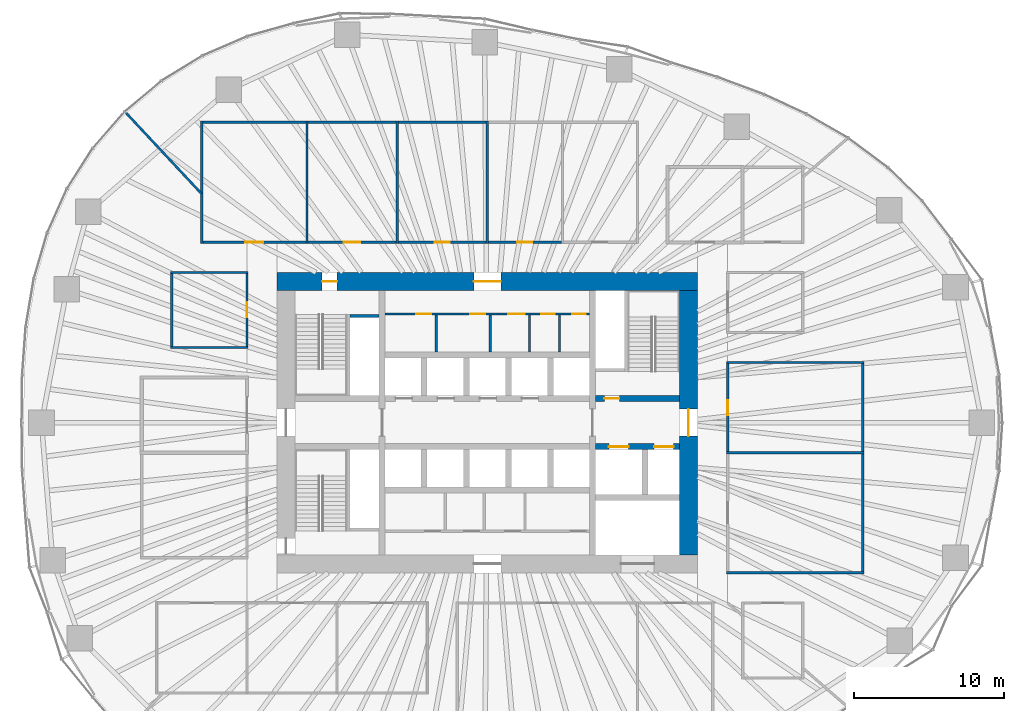
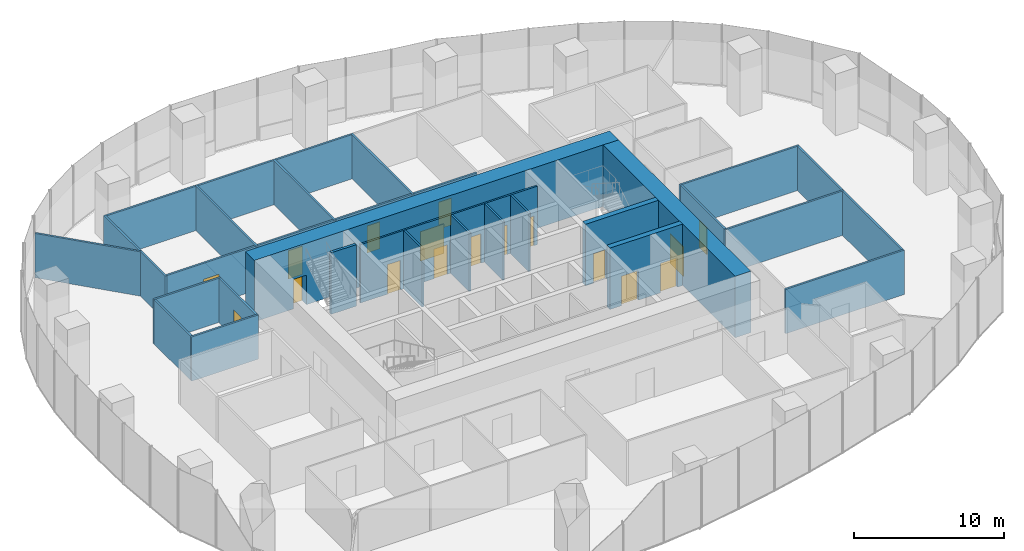
# One storey, part 11 of 20: 32 walls, 17 doors, 17 openings.
"""IFC4 building model written with IfcOpenShell, lengths in metres."""

from ifc_helpers import new_model, si_unit, direction, frame, frame_2d, origin, place, context, subcontext, project, spatial, rectangle, extrude, material, layer, layer_set, type_object, element, fill, save


model = new_model("IFC4")

# Units and contexts
model_context = context("Model", 3, precision=1e-05, world=origin(), true_north=direction((0.0, 1.0)))
body_context = subcontext(model_context, "Body", "Model", "MODEL_VIEW")
ifc_project = project(units=[si_unit("LENGTHUNIT", "METRE"), si_unit("AREAUNIT", "SQUARE_METRE"), si_unit("VOLUMEUNIT", "CUBIC_METRE"), si_unit("PLANEANGLEUNIT", "RADIAN"), si_unit("MASSUNIT", "GRAM", prefix="KILO")], contexts=[model_context])

# Site, building, storey
site_placement = place(None, origin())
site = spatial("IfcSite", under=ifc_project, at=site_placement, CompositionType="ELEMENT")
building_placement = place(site_placement, origin())
building = spatial("IfcBuilding", under=site, at=building_placement, Name="Ghaith Harvest Tower", CompositionType="ELEMENT")
storey_placement = place(building_placement, frame((0.0, 0.0, 90.0)))
storey = spatial("IfcBuildingStorey", under=building, at=storey_placement, Name="L18", CompositionType="ELEMENT", Elevation=90.0)

# Wall, openings, doors
ifc_material_1 = material(Name="Concrete blockwork, fair-faced", Category="masonry")
ifc_layer_1 = layer(ifc_material_1, 0.139892578125)
ifc_layer_set_1 = layer_set([ifc_layer_1], Name="CORE PARTITION 140")
wall_type_1 = type_object("IfcWallType", Name="CORE PARTITION 140", PredefinedType="PARTITIONING", material=ifc_layer_set_1)
wall_1_placement = place(storey_placement, frame((-6.800048828125, 7.22998046875, 0.0), z_axis=(0.0, 0.0, 1.0), x_axis=(1.0, 0.0, 0.0)))
wall_1 = element("IfcWall", 1, at=wall_1_placement, inside=storey, type_object=wall_type_1, Name="Core partition L18", PredefinedType="PARTITIONING", context=body_context, shape_type="SweptSolid", body=[
    extrude(rectangle(XDim=13.60009765625, YDim=0.139892578125, at=frame_2d((6.800048828125, 0.0))), origin(), (0.0, 0.0, 1.0), 4.75),
])
opening_1_placement = place(wall_1_placement, frame((2.080078125, 0.0, 0.0)))
opening_1 = element("IfcOpeningElement", 2, at=opening_1_placement, cuts=wall_1, Name="Opening 18-008", PredefinedType="OPENING", context=body_context, shape_type="SweptSolid", body=[
    extrude(rectangle(XDim=1.0, YDim=2.39990234375, at=frame_2d((0.5, 1.199951171875))), frame((0.0, 0.080078125, 0.0), z_axis=(0.0, -1.0, 0.0), x_axis=(1.0, 0.0, 0.0)), (0.0, 0.0, 1.0), 0.159912109375),
])
opening_2_placement = place(wall_1_placement, frame((5.679931640625, 0.0, 0.0)))
opening_2 = element("IfcOpeningElement", 3, at=opening_2_placement, cuts=wall_1, Name="Opening 18-009", PredefinedType="OPENING", context=body_context, shape_type="SweptSolid", body=[
    extrude(rectangle(XDim=1.0, YDim=2.39990234375, at=frame_2d((0.5, 1.199951171875))), frame((0.0, 0.080078125, 0.0), z_axis=(0.0, -1.0, 0.0), x_axis=(1.0, 0.0, 0.0)), (0.0, 0.0, 1.0), 0.159912109375),
])
opening_3_placement = place(wall_1_placement, frame((8.179931640625, 0.0, 0.0)))
opening_3 = element("IfcOpeningElement", 4, at=opening_3_placement, cuts=wall_1, Name="Opening 18-010", PredefinedType="OPENING", context=body_context, shape_type="SweptSolid", body=[
    extrude(rectangle(XDim=1.10009765625, YDim=2.39990234375, at=frame_2d((0.550048828125, 1.199951171875))), frame((0.0, 0.080078125, 0.0), z_axis=(0.0, -1.0, 0.0), x_axis=(1.0, 0.0, 0.0)), (0.0, 0.0, 1.0), 0.159912109375),
])
opening_4_placement = place(wall_1_placement, frame((10.3798828125, 0.0, 0.0)))
opening_4 = element("IfcOpeningElement", 5, at=opening_4_placement, cuts=wall_1, Name="Opening 18-011", PredefinedType="OPENING", context=body_context, shape_type="SweptSolid", body=[
    extrude(rectangle(XDim=0.89990234375, YDim=2.39990234375, at=frame_2d((0.449951171875, 1.199951171875))), frame((0.0, 0.080078125, 0.0), z_axis=(0.0, -1.0, 0.0), x_axis=(1.0, 0.0, 0.0)), (0.0, 0.0, 1.0), 0.159912109375),
])
opening_5_placement = place(wall_1_placement, frame((12.449951171875, 0.0, 0.0)))
opening_5 = element("IfcOpeningElement", 6, at=opening_5_placement, cuts=wall_1, Name="Opening 18-012", PredefinedType="OPENING", context=body_context, shape_type="SweptSolid", body=[
    extrude(rectangle(XDim=0.89990234375, YDim=2.39990234375, at=frame_2d((0.449951171875, 1.199951171875))), frame((0.0, 0.080078125, 0.0), z_axis=(0.0, -1.0, 0.0), x_axis=(1.0, 0.0, 0.0)), (0.0, 0.0, 1.0), 0.159912109375),
])
ifc_material_2 = material(Name="Steel fire door", Category="steel")
door_type_1 = type_object("IfcDoorType", Name="D3 FD90 1000x2400", OperationType="SINGLE_SWING_LEFT", PredefinedType="DOOR", material=ifc_material_2)
door_1_placement = place(opening_1_placement, origin())
door_1 = element("IfcDoor", 7, at=door_1_placement, inside=storey, type_object=door_type_1, Name="Male WC door", OperationType="SINGLE_SWING_LEFT", OverallHeight=2.39990234375, OverallWidth=1.0, PredefinedType="DOOR", context=body_context, shape_type="SweptSolid", body=[
    extrude(rectangle(XDim=1.0, YDim=2.39990234375, at=frame_2d((0.5, 1.199951171875))), frame((0.0, 0.02490234375, 0.0), z_axis=(0.0, -1.0, 0.0), x_axis=(1.0, 0.0, 0.0)), (0.0, 0.0, 1.0), 0.050048828125),
])
fill(opening_1, door_1)
door_2_placement = place(opening_2_placement, origin())
door_2 = element("IfcDoor", 8, at=door_2_placement, inside=storey, type_object=door_type_1, Name="Female WC door", OperationType="SINGLE_SWING_LEFT", OverallHeight=2.39990234375, OverallWidth=1.0, PredefinedType="DOOR", context=body_context, shape_type="SweptSolid", body=[
    extrude(rectangle(XDim=1.0, YDim=2.39990234375, at=frame_2d((0.5, 1.199951171875))), frame((0.0, 0.02490234375, 0.0), z_axis=(0.0, -1.0, 0.0), x_axis=(1.0, 0.0, 0.0)), (0.0, 0.0, 1.0), 0.050048828125),
])
fill(opening_2, door_2)
ifc_material_3 = material(Name="Steel fire door", Category="steel")
door_type_2 = type_object("IfcDoorType", Name="D5 FD90 900x2400", OperationType="SINGLE_SWING_LEFT", PredefinedType="DOOR", material=ifc_material_3)
door_3_placement = place(opening_4_placement, origin())
door_3 = element("IfcDoor", 9, at=door_3_placement, inside=storey, type_object=door_type_2, Name="Store door", OperationType="SINGLE_SWING_RIGHT", OverallHeight=2.39990234375, OverallWidth=0.89990234375, PredefinedType="DOOR", context=body_context, shape_type="SweptSolid", body=[
    extrude(rectangle(XDim=0.89990234375, YDim=2.39990234375, at=frame_2d((0.449951171875, 1.199951171875))), frame((0.0, 0.02490234375, 0.0), z_axis=(0.0, -1.0, 0.0), x_axis=(1.0, 0.0, 0.0)), (0.0, 0.0, 1.0), 0.050048828125),
])
fill(opening_4, door_3)
door_4_placement = place(opening_5_placement, origin())
door_4 = element("IfcDoor", 10, at=door_4_placement, inside=storey, type_object=door_type_2, Name="Cleaner's store door", OperationType="SINGLE_SWING_RIGHT", OverallHeight=2.39990234375, OverallWidth=0.89990234375, PredefinedType="DOOR", context=body_context, shape_type="SweptSolid", body=[
    extrude(rectangle(XDim=0.89990234375, YDim=2.39990234375, at=frame_2d((0.449951171875, 1.199951171875))), frame((0.0, 0.02490234375, 0.0), z_axis=(0.0, -1.0, 0.0), x_axis=(1.0, 0.0, 0.0)), (0.0, 0.0, 1.0), 0.050048828125),
])
fill(opening_5, door_4)
ifc_material_4 = material(Name="Steel fire door", Category="steel")
door_type_3 = type_object("IfcDoorType", Name="D9 FD90 1100x2400", OperationType="SINGLE_SWING_LEFT", PredefinedType="DOOR", material=ifc_material_4)
door_5_placement = place(opening_3_placement, origin())
door_5 = element("IfcDoor", 11, at=door_5_placement, inside=storey, type_object=door_type_3, Name="Accessible WC door", OperationType="SINGLE_SWING_RIGHT", OverallHeight=2.39990234375, OverallWidth=1.10009765625, PredefinedType="DOOR", context=body_context, shape_type="SweptSolid", body=[
    extrude(rectangle(XDim=1.10009765625, YDim=2.39990234375, at=frame_2d((0.550048828125, 1.199951171875))), frame((0.0, 0.02490234375, 0.0), z_axis=(0.0, -1.0, 0.0), x_axis=(1.0, 0.0, 0.0)), (0.0, 0.0, 1.0), 0.050048828125),
])
fill(opening_3, door_5)

# Walls
for number, where, z_axis, x_axis, name in (
    (12, (-3.39990234375, 4.699951171875, 0.0), (0.0, 0.0, 1.0), (0.0, 1.0, 0.0), "Core partition L18"),
    (13, (0.199951171875, 4.699951171875, 0.0), (0.0, 0.0, 1.0), (0.0, 1.0, 0.0), "Core partition L18"),
    (14, (2.800048828125, 4.699951171875, 0.0), (0.0, 0.0, 1.0), (0.0, 1.0, 0.0), "Core partition L18"),
    (15, (4.800048828125, 4.699951171875, 0.0), (0.0, 0.0, 1.0), (0.0, 1.0, 0.0), "Core partition L18"),
):
    element("IfcWall", number, at=place(storey_placement, frame(where, z_axis=z_axis, x_axis=x_axis)), inside=storey, type_object=wall_type_1, Name=name, PredefinedType="PARTITIONING", context=body_context, shape_type="SweptSolid", body=[
        extrude(rectangle(XDim=2.4599609375, YDim=0.139892578125, at=frame_2d((1.22998046875, 0.0))), origin(), (0.0, 0.0, 1.0), 4.75),
    ])

# Wall, openings, doors
ifc_material_5 = material(Name="Concrete C70/85", Category="concrete")
ifc_layer_2 = layer(ifc_material_5, 1.199951171875)
ifc_layer_set_2 = layer_set([ifc_layer_2], Name="CORE WALL CW1200")
wall_type_2 = type_object("IfcWallType", Name="CORE WALL CW1200", PredefinedType="SHEAR", material=ifc_layer_set_2)
wall_2_placement = place(storey_placement, frame((14.0, 9.39990234375, 0.0), z_axis=(0.0, 0.0, 1.0), x_axis=(-1.0, 0.0, 0.0)))
wall_2 = element("IfcWall", 16, at=wall_2_placement, inside=storey, type_object=wall_type_2, Name="Core wall N L18", PredefinedType="SHEAR", context=body_context, shape_type="SweptSolid", body=[
    extrude(rectangle(XDim=28.0, YDim=1.199951171875, at=frame_2d((14.0, 0.0))), origin(), (0.0, 0.0, 1.0), 5.0),
])
opening_6_placement = place(wall_2_placement, frame((24.0, 0.0, 0.0)))
opening_6 = element("IfcOpeningElement", 17, at=opening_6_placement, cuts=wall_2, Name="Opening 18-005", PredefinedType="OPENING", context=body_context, shape_type="SweptSolid", body=[
    extrude(rectangle(XDim=1.0, YDim=2.39990234375, at=frame_2d((0.5, 1.199951171875))), frame((0.0, 0.60986328125, 0.0), z_axis=(0.0, -1.0, 0.0), x_axis=(1.0, 0.0, 0.0)), (0.0, 0.0, 1.0), 1.219970703125),
])
opening_7_placement = place(wall_2_placement, frame((13.10009765625, 0.0, 0.0)))
opening_7 = element("IfcOpeningElement", 18, at=opening_7_placement, cuts=wall_2, Name="Opening 18-017", PredefinedType="OPENING", context=body_context, shape_type="SweptSolid", body=[
    extrude(rectangle(XDim=1.800048828125, YDim=2.39990234375, at=frame_2d((0.89990234375, 1.199951171875))), frame((0.0, 0.60986328125, 0.0), z_axis=(0.0, -1.0, 0.0), x_axis=(1.0, 0.0, 0.0)), (0.0, 0.0, 1.0), 1.219970703125),
])
door_6_placement = place(opening_6_placement, origin())
door_6 = element("IfcDoor", 19, at=door_6_placement, inside=storey, type_object=door_type_1, Name="Stair ST1 door", OperationType="SINGLE_SWING_RIGHT", OverallHeight=2.39990234375, OverallWidth=1.0, PredefinedType="DOOR", context=body_context, shape_type="SweptSolid", body=[
    extrude(rectangle(XDim=1.0, YDim=2.39990234375, at=frame_2d((0.5, 1.199951171875))), frame((0.0, 0.02490234375, 0.0), z_axis=(0.0, -1.0, 0.0), x_axis=(1.0, 0.0, 0.0)), (0.0, 0.0, 1.0), 0.050048828125),
])
fill(opening_6, door_6)
ifc_material_6 = material(Name="Steel fire door", Category="steel")
door_type_4 = type_object("IfcDoorType", Name="D4 FD90 PAIR 1800x2400", OperationType="DOUBLE_DOOR_SINGLE_SWING", PredefinedType="DOOR", material=ifc_material_6)
door_7_placement = place(opening_7_placement, origin())
door_7 = element("IfcDoor", 20, at=door_7_placement, inside=storey, type_object=door_type_4, Name="Core service corridor doors", OperationType="DOUBLE_DOOR_SINGLE_SWING", OverallHeight=2.39990234375, OverallWidth=1.800048828125, PredefinedType="DOOR", context=body_context, shape_type="SweptSolid", body=[
    extrude(rectangle(XDim=1.800048828125, YDim=2.39990234375, at=frame_2d((0.89990234375, 1.199951171875))), frame((0.0, 0.02490234375, 0.0), z_axis=(0.0, -1.0, 0.0), x_axis=(1.0, 0.0, 0.0)), (0.0, 0.0, 1.0), 0.050048828125),
])
fill(opening_7, door_7)

# Wall, opening, door
wall_3_placement = place(storey_placement, frame((13.39990234375, -8.800048828125, 0.0), z_axis=(0.0, 0.0, 1.0), x_axis=(0.0, 1.0, 0.0)))
wall_3 = element("IfcWall", 21, at=wall_3_placement, inside=storey, type_object=wall_type_2, Name="Core wall E L18", PredefinedType="SHEAR", context=body_context, shape_type="SweptSolid", body=[
    extrude(rectangle(XDim=17.60009765625, YDim=1.199951171875, at=frame_2d((8.800048828125, 0.0))), origin(), (0.0, 0.0, 1.0), 5.0),
])
opening_8_placement = place(wall_3_placement, frame((7.89990234375, 0.0, 0.0)))
opening_8 = element("IfcOpeningElement", 22, at=opening_8_placement, cuts=wall_3, Name="Opening 18-002", PredefinedType="OPENING", context=body_context, shape_type="SweptSolid", body=[
    extrude(rectangle(XDim=1.800048828125, YDim=2.39990234375, at=frame_2d((0.89990234375, 1.199951171875))), frame((0.0, 0.60986328125, 0.0), z_axis=(0.0, -1.0, 0.0), x_axis=(1.0, 0.0, 0.0)), (0.0, 0.0, 1.0), 1.219970703125),
])
door_8_placement = place(opening_8_placement, origin())
door_8 = element("IfcDoor", 23, at=door_8_placement, inside=storey, type_object=door_type_4, Name="Fire-fighting lobby doors", OperationType="DOUBLE_DOOR_SINGLE_SWING", OverallHeight=2.39990234375, OverallWidth=1.800048828125, PredefinedType="DOOR", context=body_context, shape_type="SweptSolid", body=[
    extrude(rectangle(XDim=1.800048828125, YDim=2.39990234375, at=frame_2d((0.89990234375, 1.199951171875))), frame((0.0, 0.02490234375, 0.0), z_axis=(0.0, -1.0, 0.0), x_axis=(1.0, 0.0, 0.0)), (0.0, 0.0, 1.0), 0.050048828125),
])
fill(opening_8, door_8)

# Walls
ifc_material_7 = material(Name="Gypsum board on steel studs", Category="steel")
ifc_layer_3 = layer(ifc_material_7, 0.14990234375)
ifc_layer_set_3 = layer_set([ifc_layer_3], Name="PARTITION 150")
wall_type_3 = type_object("IfcWallType", Name="PARTITION 150", PredefinedType="PARTITIONING", material=ifc_layer_set_3)
for number, where, z_axis, x_axis, name in (
    (24, (15.925048828125, -10.0, 0.0), (0.0, 0.0, 1.0), (1.0, 0.0, 0.0), "Partition L18 row E3 cross wall 1"),
    (25, (15.925048828125, -2.0, 0.0), (0.0, 0.0, 1.0), (1.0, 0.0, 0.0), "Partition L18 row E3 cross wall 2"),
    (26, (15.925048828125, 4.0, 0.0), (0.0, 0.0, 1.0), (1.0, 0.0, 0.0), "Partition L18 row E3 cross wall 3"),
):
    element("IfcWall", number, at=place(storey_placement, frame(where, z_axis=z_axis, x_axis=x_axis)), inside=storey, type_object=wall_type_3, Name=name, PredefinedType="PARTITIONING", context=body_context, shape_type="SweptSolid", body=[
        extrude(rectangle(XDim=9.14990234375, YDim=0.14990234375, at=frame_2d((4.574951171875, 0.0))), origin(), (0.0, 0.0, 1.0), 3.60009765625),
    ])
wall_4_placement = place(storey_placement, frame((25.0, -9.925048828125, 0.0), z_axis=(0.0, 0.0, 1.0), x_axis=(0.0, 1.0, 0.0)))
element("IfcWall", 27, at=wall_4_placement, inside=storey, type_object=wall_type_3, Name="Partition L18-06", PredefinedType="PARTITIONING", context=body_context, shape_type="SweptSolid", body=[
    extrude(rectangle(XDim=7.85009765625, YDim=0.14990234375, at=frame_2d((3.925048828125, 0.0))), origin(), (0.0, 0.0, 1.0), 3.60009765625),
])

# Wall, opening, door
wall_5_placement = place(storey_placement, frame((16.0, -1.925048828125, 0.0), z_axis=(0.0, 0.0, 1.0), x_axis=(0.0, 1.0, 0.0)))
wall_5 = element("IfcWall", 28, at=wall_5_placement, inside=storey, type_object=wall_type_3, Name="Partition L18-07", PredefinedType="PARTITIONING", context=body_context, shape_type="SweptSolid", body=[
    extrude(rectangle(XDim=5.85009765625, YDim=0.14990234375, at=frame_2d((2.925048828125, 0.0))), origin(), (0.0, 0.0, 1.0), 3.60009765625),
])
opening_9_placement = place(wall_5_placement, frame((2.425048828125, 0.0, 0.0)))
opening_9 = element("IfcOpeningElement", 29, at=opening_9_placement, cuts=wall_5, Name="Opening 18-032", PredefinedType="OPENING", context=body_context, shape_type="SweptSolid", body=[
    extrude(rectangle(XDim=1.0, YDim=2.199951171875, at=frame_2d((0.5, 1.10009765625))), frame((0.0, 0.0849609375, 0.0), z_axis=(0.0, -1.0, 0.0), x_axis=(1.0, 0.0, 0.0)), (0.0, 0.0, 1.0), 0.169921875),
])
ifc_material_8 = material(Name="Timber door", Category="wood")
door_type_5 = type_object("IfcDoorType", Name="D1 SINGLE 1000x2200", OperationType="SINGLE_SWING_LEFT", PredefinedType="DOOR", material=ifc_material_8)
door_9_placement = place(opening_9_placement, origin())
door_9 = element("IfcDoor", 30, at=door_9_placement, inside=storey, type_object=door_type_5, Name="Crate store door", OperationType="SINGLE_SWING_LEFT", OverallHeight=2.199951171875, OverallWidth=1.0, PredefinedType="DOOR", context=body_context, shape_type="SweptSolid", body=[
    extrude(rectangle(XDim=1.0, YDim=2.199951171875, at=frame_2d((0.5, 1.10009765625))), frame((0.0, 0.02490234375, 0.0), z_axis=(0.0, -1.0, 0.0), x_axis=(1.0, 0.0, 0.0)), (0.0, 0.0, 1.0), 0.050048828125),
])
fill(opening_9, door_9)

# Walls
wall_6_placement = place(storey_placement, frame((25.0, -1.925048828125, 0.0), z_axis=(0.0, 0.0, 1.0), x_axis=(0.0, 1.0, 0.0)))
element("IfcWall", 31, at=wall_6_placement, inside=storey, type_object=wall_type_3, Name="Partition L18-07", PredefinedType="PARTITIONING", context=body_context, shape_type="SweptSolid", body=[
    extrude(rectangle(XDim=5.85009765625, YDim=0.14990234375, at=frame_2d((2.925048828125, 0.0))), origin(), (0.0, 0.0, 1.0), 3.60009765625),
])
for number, where, z_axis, x_axis, name in (
    (32, (-19.0, 11.925048828125, 0.0), (0.0, 0.0, 1.0), (0.0, 1.0, 0.0), "Partition L18 row N4 cross wall 1"),
    (33, (-12.0, 11.925048828125, 0.0), (0.0, 0.0, 1.0), (0.0, 1.0, 0.0), "Partition L18 row N4 cross wall 2"),
    (34, (-6.0, 11.925048828125, 0.0), (0.0, 0.0, 1.0), (0.0, 1.0, 0.0), "Partition L18 row N4 cross wall 3"),
    (35, (0.0, 11.925048828125, 0.0), (0.0, 0.0, 1.0), (0.0, 1.0, 0.0), "Partition L18 row N4 cross wall 4"),
):
    element("IfcWall", number, at=place(storey_placement, frame(where, z_axis=z_axis, x_axis=x_axis)), inside=storey, type_object=wall_type_3, Name=name, PredefinedType="PARTITIONING", context=body_context, shape_type="SweptSolid", body=[
        extrude(rectangle(XDim=8.14990234375, YDim=0.14990234375, at=frame_2d((4.074951171875, 0.0))), origin(), (0.0, 0.0, 1.0), 3.60009765625),
    ])

# Wall, opening, door
wall_7_placement = place(storey_placement, frame((-18.925048828125, 12.0, 0.0), z_axis=(0.0, 0.0, 1.0), x_axis=(1.0, 0.0, 0.0)))
wall_7 = element("IfcWall", 36, at=wall_7_placement, inside=storey, type_object=wall_type_3, Name="Partition L18-08", PredefinedType="PARTITIONING", context=body_context, shape_type="SweptSolid", body=[
    extrude(rectangle(XDim=6.85009765625, YDim=0.14990234375, at=frame_2d((3.425048828125, 0.0))), origin(), (0.0, 0.0, 1.0), 3.60009765625),
])
opening_10_placement = place(wall_7_placement, frame((2.824951171875, 0.0, 0.0)))
opening_10 = element("IfcOpeningElement", 37, at=opening_10_placement, cuts=wall_7, Name="Opening 18-033", PredefinedType="OPENING", context=body_context, shape_type="SweptSolid", body=[
    extrude(rectangle(XDim=1.199951171875, YDim=2.300048828125, at=frame_2d((0.60009765625, 1.14990234375))), frame((0.0, 0.0849609375, 0.0), z_axis=(0.0, -1.0, 0.0), x_axis=(1.0, 0.0, 0.0)), (0.0, 0.0, 1.0), 0.169921875),
])
ifc_material_9 = material(Name="Timber door with vision panel", Category="wood")
door_type_6 = type_object("IfcDoorType", Name="D15 LABORATORY 1200x2300", OperationType="SINGLE_SWING_LEFT", PredefinedType="DOOR", material=ifc_material_9)
door_10_placement = place(opening_10_placement, origin())
door_10 = element("IfcDoor", 38, at=door_10_placement, inside=storey, type_object=door_type_6, Name="Quality laboratory door", OperationType="SINGLE_SWING_LEFT", OverallHeight=2.300048828125, OverallWidth=1.199951171875, PredefinedType="DOOR", context=body_context, shape_type="SweptSolid", body=[
    extrude(rectangle(XDim=1.199951171875, YDim=2.300048828125, at=frame_2d((0.60009765625, 1.14990234375))), frame((0.0, 0.02490234375, 0.0), z_axis=(0.0, -1.0, 0.0), x_axis=(1.0, 0.0, 0.0)), (0.0, 0.0, 1.0), 0.050048828125),
])
fill(opening_10, door_10)

# Wall
wall_8_placement = place(storey_placement, frame((-18.925048828125, 20.0, 0.0), z_axis=(0.0, 0.0, 1.0), x_axis=(1.0, 0.0, 0.0)))
element("IfcWall", 39, at=wall_8_placement, inside=storey, type_object=wall_type_3, Name="Partition L18-08", PredefinedType="PARTITIONING", context=body_context, shape_type="SweptSolid", body=[
    extrude(rectangle(XDim=6.85009765625, YDim=0.14990234375, at=frame_2d((3.425048828125, 0.0))), origin(), (0.0, 0.0, 1.0), 3.60009765625),
])

# Wall, opening, door
wall_9_placement = place(storey_placement, frame((-11.925048828125, 12.0, 0.0), z_axis=(0.0, 0.0, 1.0), x_axis=(1.0, 0.0, 0.0)))
wall_9 = element("IfcWall", 40, at=wall_9_placement, inside=storey, type_object=wall_type_3, Name="Partition L18-09", PredefinedType="PARTITIONING", context=body_context, shape_type="SweptSolid", body=[
    extrude(rectangle(XDim=5.85009765625, YDim=0.14990234375, at=frame_2d((2.925048828125, 0.0))), origin(), (0.0, 0.0, 1.0), 3.60009765625),
])
opening_11_placement = place(wall_9_placement, frame((2.375, 0.0, 0.0)))
opening_11 = element("IfcOpeningElement", 41, at=opening_11_placement, cuts=wall_9, Name="Opening 18-034", PredefinedType="OPENING", context=body_context, shape_type="SweptSolid", body=[
    extrude(rectangle(XDim=1.10009765625, YDim=2.300048828125, at=frame_2d((0.550048828125, 1.14990234375))), frame((0.0, 0.0849609375, 0.0), z_axis=(0.0, -1.0, 0.0), x_axis=(1.0, 0.0, 0.0)), (0.0, 0.0, 1.0), 0.169921875),
])
ifc_material_10 = material(Name="Timber-framed glazed door", Category="wood")
door_type_7 = type_object("IfcDoorType", Name="D12 GLAZED OFFICE 1100x2300", OperationType="SINGLE_SWING_LEFT", PredefinedType="DOOR", material=ifc_material_10)
door_11_placement = place(opening_11_placement, origin())
door_11 = element("IfcDoor", 42, at=door_11_placement, inside=storey, type_object=door_type_7, Name="Farm office door", OperationType="SINGLE_SWING_LEFT", OverallHeight=2.300048828125, OverallWidth=1.10009765625, PredefinedType="DOOR", context=body_context, shape_type="SweptSolid", body=[
    extrude(rectangle(XDim=1.10009765625, YDim=2.300048828125, at=frame_2d((0.550048828125, 1.14990234375))), frame((0.0, 0.02490234375, 0.0), z_axis=(0.0, -1.0, 0.0), x_axis=(1.0, 0.0, 0.0)), (0.0, 0.0, 1.0), 0.050048828125),
])
fill(opening_11, door_11)

# Wall
wall_10_placement = place(storey_placement, frame((-11.925048828125, 20.0, 0.0), z_axis=(0.0, 0.0, 1.0), x_axis=(1.0, 0.0, 0.0)))
element("IfcWall", 43, at=wall_10_placement, inside=storey, type_object=wall_type_3, Name="Partition L18-09", PredefinedType="PARTITIONING", context=body_context, shape_type="SweptSolid", body=[
    extrude(rectangle(XDim=5.85009765625, YDim=0.14990234375, at=frame_2d((2.925048828125, 0.0))), origin(), (0.0, 0.0, 1.0), 3.60009765625),
])

# Wall, opening, door
wall_11_placement = place(storey_placement, frame((-5.925048828125, 12.0, 0.0), z_axis=(0.0, 0.0, 1.0), x_axis=(1.0, 0.0, 0.0)))
wall_11 = element("IfcWall", 44, at=wall_11_placement, inside=storey, type_object=wall_type_3, Name="Partition L18-10", PredefinedType="PARTITIONING", context=body_context, shape_type="SweptSolid", body=[
    extrude(rectangle(XDim=5.85009765625, YDim=0.14990234375, at=frame_2d((2.925048828125, 0.0))), origin(), (0.0, 0.0, 1.0), 3.60009765625),
])
opening_12_placement = place(wall_11_placement, frame((2.425048828125, 0.0, 0.0)))
opening_12 = element("IfcOpeningElement", 45, at=opening_12_placement, cuts=wall_11, Name="Opening 18-035", PredefinedType="OPENING", context=body_context, shape_type="SweptSolid", body=[
    extrude(rectangle(XDim=1.0, YDim=2.199951171875, at=frame_2d((0.5, 1.10009765625))), frame((0.0, 0.0849609375, 0.0), z_axis=(0.0, -1.0, 0.0), x_axis=(1.0, 0.0, 0.0)), (0.0, 0.0, 1.0), 0.169921875),
])
door_12_placement = place(opening_12_placement, origin())
door_12 = element("IfcDoor", 46, at=door_12_placement, inside=storey, type_object=door_type_5, Name="Staff room door", OperationType="SINGLE_SWING_LEFT", OverallHeight=2.199951171875, OverallWidth=1.0, PredefinedType="DOOR", context=body_context, shape_type="SweptSolid", body=[
    extrude(rectangle(XDim=1.0, YDim=2.199951171875, at=frame_2d((0.5, 1.10009765625))), frame((0.0, 0.02490234375, 0.0), z_axis=(0.0, -1.0, 0.0), x_axis=(1.0, 0.0, 0.0)), (0.0, 0.0, 1.0), 0.050048828125),
])
fill(opening_12, door_12)

# Wall
wall_12_placement = place(storey_placement, frame((-5.925048828125, 20.0, 0.0), z_axis=(0.0, 0.0, 1.0), x_axis=(1.0, 0.0, 0.0)))
element("IfcWall", 47, at=wall_12_placement, inside=storey, type_object=wall_type_3, Name="Partition L18-10", PredefinedType="PARTITIONING", context=body_context, shape_type="SweptSolid", body=[
    extrude(rectangle(XDim=5.85009765625, YDim=0.14990234375, at=frame_2d((2.925048828125, 0.0))), origin(), (0.0, 0.0, 1.0), 3.60009765625),
])

# Wall, opening, door
wall_13_placement = place(storey_placement, frame((0.074951171875, 12.0, 0.0), z_axis=(0.0, 0.0, 1.0), x_axis=(1.0, 0.0, 0.0)))
wall_13 = element("IfcWall", 48, at=wall_13_placement, inside=storey, type_object=wall_type_3, Name="Partition L18-11", PredefinedType="PARTITIONING", context=body_context, shape_type="SweptSolid", body=[
    extrude(rectangle(XDim=4.85009765625, YDim=0.14990234375, at=frame_2d((2.425048828125, 0.0))), origin(), (0.0, 0.0, 1.0), 3.60009765625),
])
opening_13_placement = place(wall_13_placement, frame((1.925048828125, 0.0, 0.0)))
opening_13 = element("IfcOpeningElement", 49, at=opening_13_placement, cuts=wall_13, Name="Opening 18-036", PredefinedType="OPENING", context=body_context, shape_type="SweptSolid", body=[
    extrude(rectangle(XDim=1.0, YDim=2.199951171875, at=frame_2d((0.5, 1.10009765625))), frame((0.0, 0.0849609375, 0.0), z_axis=(0.0, -1.0, 0.0), x_axis=(1.0, 0.0, 0.0)), (0.0, 0.0, 1.0), 0.169921875),
])
door_13_placement = place(opening_13_placement, origin())
door_13 = element("IfcDoor", 50, at=door_13_placement, inside=storey, type_object=door_type_5, Name="Male staff changing room door", OperationType="SINGLE_SWING_LEFT", OverallHeight=2.199951171875, OverallWidth=1.0, PredefinedType="DOOR", context=body_context, shape_type="SweptSolid", body=[
    extrude(rectangle(XDim=1.0, YDim=2.199951171875, at=frame_2d((0.5, 1.10009765625))), frame((0.0, 0.02490234375, 0.0), z_axis=(0.0, -1.0, 0.0), x_axis=(1.0, 0.0, 0.0)), (0.0, 0.0, 1.0), 0.050048828125),
])
fill(opening_13, door_13)

# Walls
for number, where, z_axis, x_axis, name in (
    (51, (-15.925048828125, 5.0, 0.0), (0.0, 0.0, 1.0), (-1.0, 0.0, 0.0), "Partition L18 row W9 cross wall 1"),
    (52, (-15.925048828125, 10.0, 0.0), (0.0, 0.0, 1.0), (-1.0, 0.0, 0.0), "Partition L18 row W9 cross wall 2"),
):
    element("IfcWall", number, at=place(storey_placement, frame(where, z_axis=z_axis, x_axis=x_axis)), inside=storey, type_object=wall_type_3, Name=name, PredefinedType="PARTITIONING", context=body_context, shape_type="SweptSolid", body=[
        extrude(rectangle(XDim=5.14990234375, YDim=0.14990234375, at=frame_2d((2.574951171875, 0.0))), origin(), (0.0, 0.0, 1.0), 3.60009765625),
    ])

# Wall, opening, door
wall_14_placement = place(storey_placement, frame((-16.0, 5.074951171875, 0.0), z_axis=(0.0, 0.0, 1.0), x_axis=(0.0, 1.0, 0.0)))
wall_14 = element("IfcWall", 53, at=wall_14_placement, inside=storey, type_object=wall_type_3, Name="Partition L18-19", PredefinedType="PARTITIONING", context=body_context, shape_type="SweptSolid", body=[
    extrude(rectangle(XDim=4.85009765625, YDim=0.14990234375, at=frame_2d((2.425048828125, 0.0))), origin(), (0.0, 0.0, 1.0), 3.60009765625),
])
opening_14_placement = place(wall_14_placement, frame((1.925048828125, 0.0, 0.0)))
opening_14 = element("IfcOpeningElement", 54, at=opening_14_placement, cuts=wall_14, Name="Opening 18-044", PredefinedType="OPENING", context=body_context, shape_type="SweptSolid", body=[
    extrude(rectangle(XDim=1.0, YDim=2.199951171875, at=frame_2d((0.5, 1.10009765625))), frame((0.0, 0.0849609375, 0.0), z_axis=(0.0, -1.0, 0.0), x_axis=(1.0, 0.0, 0.0)), (0.0, 0.0, 1.0), 0.169921875),
])
door_14_placement = place(opening_14_placement, origin())
door_14 = element("IfcDoor", 55, at=door_14_placement, inside=storey, type_object=door_type_5, Name="Refuse room door", OperationType="SINGLE_SWING_LEFT", OverallHeight=2.199951171875, OverallWidth=1.0, PredefinedType="DOOR", context=body_context, shape_type="SweptSolid", body=[
    extrude(rectangle(XDim=1.0, YDim=2.199951171875, at=frame_2d((0.5, 1.10009765625))), frame((0.0, 0.02490234375, 0.0), z_axis=(0.0, -1.0, 0.0), x_axis=(1.0, 0.0, 0.0)), (0.0, 0.0, 1.0), 0.050048828125),
])
fill(opening_14, door_14)

# Walls
wall_15_placement = place(storey_placement, frame((-21.0, 5.074951171875, 0.0), z_axis=(0.0, 0.0, 1.0), x_axis=(0.0, 1.0, 0.0)))
element("IfcWall", 56, at=wall_15_placement, inside=storey, type_object=wall_type_3, Name="Partition L18-19", PredefinedType="PARTITIONING", context=body_context, shape_type="SweptSolid", body=[
    extrude(rectangle(XDim=4.85009765625, YDim=0.14990234375, at=frame_2d((2.425048828125, 0.0))), origin(), (0.0, 0.0, 1.0), 3.60009765625),
])
wall_16_placement = place(storey_placement, frame((-19.02001953125, 15.23388671875, 0.0), z_axis=(0.0, 0.0, 1.0), x_axis=(-0.682519491562, 0.730867391281, 0.0)))
element("IfcWall", 57, at=wall_16_placement, inside=storey, type_object=wall_type_3, Name="Partition L18 zone division", PredefinedType="PARTITIONING", context=body_context, shape_type="SweptSolid", body=[
    extrude(rectangle(XDim=7.34716796875, YDim=0.14990234375, at=frame_2d((3.673583984375, 0.0))), origin(), (0.0, 0.0, 1.0), 3.60009765625),
])

# Wall, opening, door
ifc_material_11 = material(Name="Concrete C70/85", Category="concrete")
ifc_layer_4 = layer(ifc_material_11, 0.39990234375)
ifc_layer_set_4 = layer_set([ifc_layer_4], Name="SHAFT WALL 400")
wall_type_4 = type_object("IfcWallType", Name="SHAFT WALL 400", PredefinedType="SHEAR", material=ifc_layer_set_4)
wall_17_placement = place(storey_placement, frame((7.199951171875, 1.60009765625, 0.0), z_axis=(0.0, 0.0, 1.0), x_axis=(1.0, 0.0, 0.0)))
wall_17 = element("IfcWall", 58, at=wall_17_placement, inside=storey, type_object=wall_type_4, Name="Shaft wall EN L18", PredefinedType="SHEAR", context=body_context, shape_type="SweptSolid", body=[
    extrude(rectangle(XDim=5.60009765625, YDim=0.39990234375, at=frame_2d((2.800048828125, 0.0))), origin(), (0.0, 0.0, 1.0), 5.0),
])
opening_15_placement = place(wall_17_placement, frame((0.60009765625, 0.0, 0.0)))
opening_15 = element("IfcOpeningElement", 59, at=opening_15_placement, cuts=wall_17, Name="Opening 18-007", PredefinedType="OPENING", context=body_context, shape_type="SweptSolid", body=[
    extrude(rectangle(XDim=1.0, YDim=2.39990234375, at=frame_2d((0.5, 1.199951171875))), frame((0.0, 0.2099609375, 0.0), z_axis=(0.0, -1.0, 0.0), x_axis=(1.0, 0.0, 0.0)), (0.0, 0.0, 1.0), 0.419921875),
])
door_15_placement = place(opening_15_placement, origin())
door_15 = element("IfcDoor", 60, at=door_15_placement, inside=storey, type_object=door_type_1, Name="Stair ST2 door", OperationType="SINGLE_SWING_LEFT", OverallHeight=2.39990234375, OverallWidth=1.0, PredefinedType="DOOR", context=body_context, shape_type="SweptSolid", body=[
    extrude(rectangle(XDim=1.0, YDim=2.39990234375, at=frame_2d((0.5, 1.199951171875))), frame((0.0, 0.02490234375, 0.0), z_axis=(0.0, -1.0, 0.0), x_axis=(1.0, 0.0, 0.0)), (0.0, 0.0, 1.0), 0.050048828125),
])
fill(opening_15, door_15)

# Wall, openings, doors
wall_18_placement = place(storey_placement, frame((7.199951171875, -1.60009765625, 0.0), z_axis=(0.0, 0.0, 1.0), x_axis=(1.0, 0.0, 0.0)))
wall_18 = element("IfcWall", 61, at=wall_18_placement, inside=storey, type_object=wall_type_4, Name="Shaft wall ES L18", PredefinedType="SHEAR", context=body_context, shape_type="SweptSolid", body=[
    extrude(rectangle(XDim=5.60009765625, YDim=0.39990234375, at=frame_2d((2.800048828125, 0.0))), origin(), (0.0, 0.0, 1.0), 5.0),
])
opening_16_placement = place(wall_18_placement, frame((0.89990234375, 0.0, 0.0)))
opening_16 = element("IfcOpeningElement", 62, at=opening_16_placement, cuts=wall_18, Name="Opening 18-023", PredefinedType="OPENING", context=body_context, shape_type="SweptSolid", body=[
    extrude(rectangle(XDim=1.300048828125, YDim=2.39990234375, at=frame_2d((0.64990234375, 1.199951171875))), frame((0.0, 0.2099609375, 0.0), z_axis=(0.0, -1.0, 0.0), x_axis=(1.0, 0.0, 0.0)), (0.0, 0.0, 1.0), 0.419921875),
])
opening_17_placement = place(wall_18_placement, frame((3.89990234375, 0.0, 0.0)))
opening_17 = element("IfcOpeningElement", 63, at=opening_17_placement, cuts=wall_18, Name="Opening 18-024", PredefinedType="OPENING", context=body_context, shape_type="SweptSolid", body=[
    extrude(rectangle(XDim=1.300048828125, YDim=2.39990234375, at=frame_2d((0.64990234375, 1.199951171875))), frame((0.0, 0.2099609375, 0.0), z_axis=(0.0, -1.0, 0.0), x_axis=(1.0, 0.0, 0.0)), (0.0, 0.0, 1.0), 0.419921875),
])
ifc_material_12 = material(Name="Steel fire door", Category="steel")
door_type_8 = type_object("IfcDoorType", Name="LD2 LANDING 1300x2400", OperationType="DOUBLE_DOOR_SLIDING", PredefinedType="DOOR", material=ifc_material_12)
door_16_placement = place(opening_16_placement, origin())
door_16 = element("IfcDoor", 64, at=door_16_placement, inside=storey, type_object=door_type_8, Name="Landing door, fire service lift FL1", OperationType="DOUBLE_DOOR_SLIDING", OverallHeight=2.39990234375, OverallWidth=1.300048828125, PredefinedType="DOOR", context=body_context, shape_type="SweptSolid", body=[
    extrude(rectangle(XDim=1.300048828125, YDim=2.39990234375, at=frame_2d((0.64990234375, 1.199951171875))), frame((0.0, 0.02490234375, 0.0), z_axis=(0.0, -1.0, 0.0), x_axis=(1.0, 0.0, 0.0)), (0.0, 0.0, 1.0), 0.050048828125),
])
fill(opening_16, door_16)
door_17_placement = place(opening_17_placement, origin())
door_17 = element("IfcDoor", 65, at=door_17_placement, inside=storey, type_object=door_type_8, Name="Landing door, fire service lift FL2", OperationType="DOUBLE_DOOR_SLIDING", OverallHeight=2.39990234375, OverallWidth=1.300048828125, PredefinedType="DOOR", context=body_context, shape_type="SweptSolid", body=[
    extrude(rectangle(XDim=1.300048828125, YDim=2.39990234375, at=frame_2d((0.64990234375, 1.199951171875))), frame((0.0, 0.02490234375, 0.0), z_axis=(0.0, -1.0, 0.0), x_axis=(1.0, 0.0, 0.0)), (0.0, 0.0, 1.0), 0.050048828125),
])
fill(opening_17, door_17)

# Wall
ifc_material_13 = material(Name="Concrete C40/50", Category="concrete")
ifc_layer_5 = layer(ifc_material_13, 0.199951171875)
ifc_layer_set_5 = layer_set([ifc_layer_5], Name="STAIR SPINE WALL RC200")
wall_type_5 = type_object("IfcWallType", Name="STAIR SPINE WALL RC200", PredefinedType="SOLIDWALL", material=ifc_layer_set_5)
wall_19_placement = place(storey_placement, frame((-9.14990234375, 7.10009765625, 0.0), z_axis=(0.0, 0.0, 1.0), x_axis=(1.0, 0.0, 0.0)))
element("IfcWall", 66, at=wall_19_placement, inside=storey, type_object=wall_type_5, Name="Stair ST1 spine wall return L18", PredefinedType="SOLIDWALL", context=body_context, shape_type="SweptSolid", body=[
    extrude(rectangle(XDim=1.949951171875, YDim=0.199951171875, at=frame_2d((0.97509765625, 0.0))), origin(), (0.0, 0.0, 1.0), 5.0),
])

save(model, "model.ifc")
